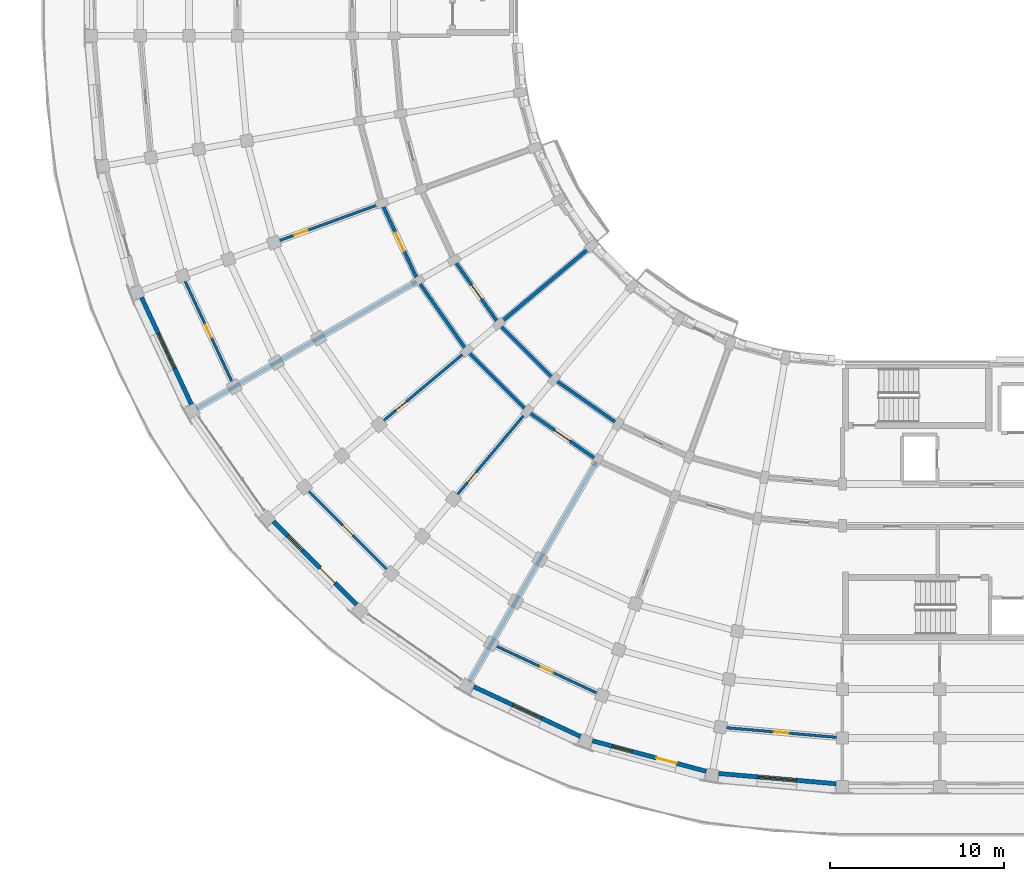
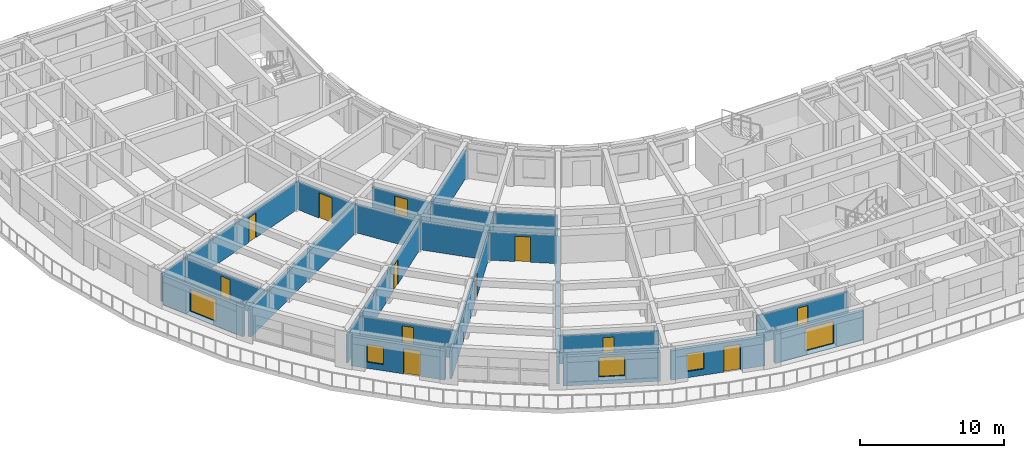
# One storey, part 17 of 57: 22 walls, 12 doors, 5 windows, 17 openings.
"""IFC4 building model written with IfcOpenShell, lengths in metres."""

from ifc_helpers import new_model, si_unit, direction, frame, frame_2d, origin, place, context, subcontext, project, spatial, rectangle, extrude, material, layer, layer_set, type_object, element, fill, save


model = new_model("IFC4")

# Units and contexts
model_context = context("Model", 3, precision=1e-05, world=origin(), true_north=direction((0.0, 1.0)))
body_context = subcontext(model_context, "Body", "Model", "MODEL_VIEW")
ifc_project = project(units=[si_unit("LENGTHUNIT", "METRE"), si_unit("AREAUNIT", "SQUARE_METRE"), si_unit("VOLUMEUNIT", "CUBIC_METRE"), si_unit("PLANEANGLEUNIT", "RADIAN"), si_unit("MASSUNIT", "GRAM", prefix="KILO")], contexts=[model_context])

# Site, building, storey
site_placement = place(None, origin())
site = spatial("IfcSite", under=ifc_project, at=site_placement, CompositionType="ELEMENT")
building_placement = place(site_placement, origin())
building = spatial("IfcBuilding", under=site, at=building_placement, Name="Kiranvali Square Residences", CompositionType="ELEMENT")
storey_placement = place(building_placement, frame((0.0, 0.0, 21.300048828125)))
storey = spatial("IfcBuildingStorey", under=building, at=storey_placement, Name="L06", CompositionType="ELEMENT", Elevation=21.300048828125)

# Wall
ifc_material_1 = material(Name="Autoclaved aerated concrete blockwork masonry", Category="masonry")
ifc_layer_1 = layer(ifc_material_1, 0.199951171875)
ifc_layer_set_1 = layer_set([ifc_layer_1], Name="Autoclaved aerated concrete blockwork masonry")
wall_type_1 = type_object("IfcWallType", Name="WL-COR-200", PredefinedType="STANDARD", material=ifc_layer_set_1)
wall_1_placement = place(storey_placement, frame((35.300048828125, 25.8564453125, 0.0), z_axis=(0.0, 0.0, 1.0), x_axis=(-0.819155404658, 0.573571637217, 0.0)))
element("IfcWall", 1, at=wall_1_placement, inside=storey, type_object=wall_type_1, Name="L06 architectural wall WL-L06-C-CCI-3", PredefinedType="STANDARD", context=body_context, shape_type="SweptSolid", body=[
    extrude(rectangle(XDim=4.497314453125, YDim=0.199951171875, at=frame_2d((2.24853515625, 0.0))), origin(), (0.0, 0.0, 1.0), 2.3720703125),
])

# Wall, opening, door
wall_2_placement = place(storey_placement, frame((34.10009765625, 23.778076171875, 0.0), z_axis=(0.0, 0.0, 1.0), x_axis=(-0.819140911474, 0.573592335331, 0.0)))
wall_2 = element("IfcWall", 2, at=wall_2_placement, inside=storey, type_object=wall_type_1, Name="L06 architectural wall WL-L06-C-CCO-3", PredefinedType="STANDARD", context=body_context, shape_type="SweptSolid", body=[
    extrude(rectangle(XDim=4.915771484375, YDim=0.199951171875, at=frame_2d((2.4580078125, 0.0))), origin(), (0.0, 0.0, 1.0), 2.3720703125),
])
opening_1_placement = place(wall_2_placement, frame((1.917724609375, 0.0, 0.0)))
opening_1 = element("IfcOpeningElement", 3, at=opening_1_placement, cuts=wall_2, Name="Opening FD-APT-60C", PredefinedType="OPENING", context=body_context, shape_type="SweptSolid", body=[
    extrude(rectangle(XDim=1.080078125, YDim=2.14990234375, at=frame_2d((0.5400390625, 1.074951171875))), frame((0.0, 0.10986328125, 0.0), z_axis=(0.0, -1.0, 0.0), x_axis=(1.0, 0.0, 0.0)), (0.0, 0.0, 1.0), 0.219970703125),
])
ifc_material_2 = material(Name="Fire-rated acoustic hardwood and mineral-core door assembly", Category="wood")
door_type_1 = type_object("IfcDoorType", Name="DR-APT-1080", OperationType="NOTDEFINED", PredefinedType="DOOR", material=ifc_material_2)
door_1_placement = place(opening_1_placement, frame((1.080078125, 0.0, 0.0), z_axis=(0.0, 0.0, 1.0), x_axis=(-1.0, 0.0, 0.0)))
door_1 = element("IfcDoor", 4, at=door_1_placement, inside=storey, type_object=door_type_1, Name="L06 door DR-L06-2120 (DR-APT-1080)", OperationType="SINGLE_SWING_RIGHT", OverallHeight=2.14990234375, OverallWidth=1.080078125, PredefinedType="DOOR", context=body_context, shape_type="SweptSolid", body=[
    extrude(rectangle(XDim=1.080078125, YDim=2.14990234375, at=frame_2d((0.5400390625, 1.074951171875))), frame((0.0, 0.02490234375, 0.0), z_axis=(0.0, -1.0, 0.0), x_axis=(1.0, 0.0, 0.0)), (0.0, 0.0, 1.0), 0.050048828125),
])
fill(opening_1, door_1)

# Walls
wall_3_placement = place(storey_placement, frame((31.615966796875, 28.43603515625, 0.0), z_axis=(0.0, 0.0, 1.0), x_axis=(-0.707106781187, 0.707106781187, 0.0)))
element("IfcWall", 5, at=wall_3_placement, inside=storey, type_object=wall_type_1, Name="L06 architectural wall WL-L06-C-CCI-4", PredefinedType="STANDARD", context=body_context, shape_type="SweptSolid", body=[
    extrude(rectangle(XDim=4.4970703125, YDim=0.199951171875, at=frame_2d((2.24853515625, 0.0))), origin(), (0.0, 0.0, 1.0), 2.3720703125),
])
wall_4_placement = place(storey_placement, frame((30.073486328125, 26.59765625, 0.0), z_axis=(0.0, 0.0, 1.0), x_axis=(-0.707106781187, 0.707106781187, 0.0)))
element("IfcWall", 6, at=wall_4_placement, inside=storey, type_object=wall_type_1, Name="L06 architectural wall WL-L06-C-CCO-4", PredefinedType="STANDARD", context=body_context, shape_type="SweptSolid", body=[
    extrude(rectangle(XDim=4.91552734375, YDim=0.199951171875, at=frame_2d((2.457763671875, 0.0))), origin(), (0.0, 0.0, 1.0), 2.3720703125),
])

# Wall, opening, door
wall_5_placement = place(storey_placement, frame((28.43603515625, 31.615966796875, 0.0), z_axis=(0.0, 0.0, 1.0), x_axis=(-0.573571637217, 0.819155404658, 0.0)))
wall_5 = element("IfcWall", 7, at=wall_5_placement, inside=storey, type_object=wall_type_1, Name="L06 architectural wall WL-L06-C-CCI-5", PredefinedType="STANDARD", context=body_context, shape_type="SweptSolid", body=[
    extrude(rectangle(XDim=4.497314453125, YDim=0.199951171875, at=frame_2d((2.24853515625, 0.0))), origin(), (0.0, 0.0, 1.0), 2.3720703125),
])
opening_2_placement = place(wall_5_placement, frame((1.74853515625, 0.0, 0.0)))
opening_2 = element("IfcOpeningElement", 8, at=opening_2_placement, cuts=wall_5, Name="Opening FD-APT-60", PredefinedType="OPENING", context=body_context, shape_type="SweptSolid", body=[
    extrude(rectangle(XDim=1.0, YDim=2.14990234375, at=frame_2d((0.5, 1.074951171875))), frame((0.0, 0.10986328125, 0.0), z_axis=(0.0, -1.0, 0.0), x_axis=(1.0, 0.0, 0.0)), (0.0, 0.0, 1.0), 0.219970703125),
])
door_type_2 = type_object("IfcDoorType", Name="DR-APT-1000", OperationType="NOTDEFINED", PredefinedType="DOOR", material=ifc_material_2)
door_2_placement = place(opening_2_placement, frame((1.0, 0.0, 0.0), z_axis=(0.0, 0.0, 1.0), x_axis=(-1.0, 0.0, 0.0)))
door_2 = element("IfcDoor", 9, at=door_2_placement, inside=storey, type_object=door_type_2, Name="L06 door DR-L06-2128 (DR-APT-1000)", OperationType="SINGLE_SWING_RIGHT", OverallHeight=2.14990234375, OverallWidth=1.0, PredefinedType="DOOR", context=body_context, shape_type="SweptSolid", body=[
    extrude(rectangle(XDim=1.0, YDim=2.14990234375, at=frame_2d((0.5, 1.074951171875))), frame((0.0, 0.02490234375, 0.0), z_axis=(0.0, -1.0, 0.0), x_axis=(1.0, 0.0, 0.0)), (0.0, 0.0, 1.0), 0.050048828125),
])
fill(opening_2, door_2)

# Wall
wall_6_placement = place(storey_placement, frame((26.59765625, 30.073486328125, 0.0), z_axis=(0.0, 0.0, 1.0), x_axis=(-0.573592335331, 0.819140911474, 0.0)))
element("IfcWall", 10, at=wall_6_placement, inside=storey, type_object=wall_type_1, Name="L06 architectural wall WL-L06-C-CCO-5", PredefinedType="STANDARD", context=body_context, shape_type="SweptSolid", body=[
    extrude(rectangle(XDim=4.915771484375, YDim=0.199951171875, at=frame_2d((2.4580078125, 0.0))), origin(), (0.0, 0.0, 1.0), 2.3720703125),
])

# Wall, opening, door
wall_7_placement = place(storey_placement, frame((23.778076171875, 34.10009765625, 0.0), z_axis=(0.0, 0.0, 1.0), x_axis=(-0.422629854778, 0.906302381024, 0.0)))
wall_7 = element("IfcWall", 11, at=wall_7_placement, inside=storey, type_object=wall_type_1, Name="L06 architectural wall WL-L06-C-CCO-6", PredefinedType="STANDARD", context=body_context, shape_type="SweptSolid", body=[
    extrude(rectangle(XDim=4.915283203125, YDim=0.199951171875, at=frame_2d((2.45751953125, 0.0))), origin(), (0.0, 0.0, 1.0), 2.3720703125),
])
opening_3_placement = place(wall_7_placement, frame((1.8876953125, 0.0, 0.0)))
opening_3 = element("IfcOpeningElement", 12, at=opening_3_placement, cuts=wall_7, Name="Opening FD-APT-60D", PredefinedType="OPENING", context=body_context, shape_type="SweptSolid", body=[
    extrude(rectangle(XDim=1.139892578125, YDim=2.14990234375, at=frame_2d((0.56982421875, 1.074951171875))), frame((0.0, 0.10986328125, 0.0), z_axis=(0.0, -1.0, 0.0), x_axis=(1.0, 0.0, 0.0)), (0.0, 0.0, 1.0), 0.219970703125),
])
door_type_3 = type_object("IfcDoorType", Name="DR-APT-1140", OperationType="NOTDEFINED", PredefinedType="DOOR", material=ifc_material_2)
door_3_placement = place(opening_3_placement, frame((1.139892578125, 0.0, 0.0), z_axis=(0.0, 0.0, 1.0), x_axis=(-1.0, 0.0, 0.0)))
door_3 = element("IfcDoor", 13, at=door_3_placement, inside=storey, type_object=door_type_3, Name="L06 door DR-L06-2122 (DR-APT-1140)", OperationType="SINGLE_SWING_RIGHT", OverallHeight=2.14990234375, OverallWidth=1.139892578125, PredefinedType="DOOR", context=body_context, shape_type="SweptSolid", body=[
    extrude(rectangle(XDim=1.139892578125, YDim=2.14990234375, at=frame_2d((0.56982421875, 1.074951171875))), frame((0.0, 0.02490234375, 0.0), z_axis=(0.0, -1.0, 0.0), x_axis=(1.0, 0.0, 0.0)), (0.0, 0.0, 1.0), 0.050048828125),
])
fill(opening_3, door_3)

# Walls
ifc_layer_2 = layer(ifc_material_1, 0.219970703125)
ifc_layer_set_2 = layer_set([ifc_layer_2], Name="Autoclaved aerated concrete blockwork masonry")
wall_type_2 = type_object("IfcWallType", Name="WL-DEM-220", PredefinedType="STANDARD", material=ifc_layer_set_2)
wall_8_placement = place(storey_placement, frame((34.050048828125, 23.69140625, 0.0), z_axis=(0.0, 0.0, 1.0), x_axis=(-0.500007702989, -0.866020956416, 0.0)))
element("IfcWall", 14, at=wall_8_placement, inside=storey, type_object=wall_type_2, Name="L06 architectural wall WL-L06-C-RADO-3", PredefinedType="STANDARD", context=body_context, shape_type="SweptSolid", body=[
    extrude(rectangle(XDim=14.619873046875, YDim=0.219970703125, at=frame_2d((7.31005859375, 0.0))), origin(), (0.0, 0.0, 1.0), 2.3720703125),
])
wall_9_placement = place(storey_placement, frame((33.645263671875, 35.987060546875, 0.0), z_axis=(0.0, 0.0, 1.0), x_axis=(-0.766046761698, -0.642784846501, 0.0)))
element("IfcWall", 15, at=wall_9_placement, inside=storey, type_object=wall_type_2, Name="L06 architectural wall WL-L06-C-RADI-5", PredefinedType="STANDARD", context=body_context, shape_type="SweptSolid", body=[
    extrude(rectangle(XDim=6.75, YDim=0.219970703125, at=frame_2d((3.375, 0.0))), origin(), (0.0, 0.0, 1.0), 2.3720703125),
])
wall_10_placement = place(storey_placement, frame((23.69140625, 34.050048828125, 0.0), z_axis=(0.0, 0.0, 1.0), x_axis=(-0.866020956416, -0.500007702989, 0.0)))
element("IfcWall", 16, at=wall_10_placement, inside=storey, type_object=wall_type_2, Name="L06 architectural wall WL-L06-C-RADO-6", PredefinedType="STANDARD", context=body_context, shape_type="SweptSolid", body=[
    extrude(rectangle(XDim=14.619873046875, YDim=0.219970703125, at=frame_2d((7.31005859375, 0.0))), origin(), (0.0, 0.0, 1.0), 2.3720703125),
])

# Wall, opening, window
ifc_material_3 = material(Name="Breathable lime-rendered clay brick masonry", Category="masonry")
ifc_layer_3 = layer(ifc_material_3, 0.25)
ifc_layer_set_3 = layer_set([ifc_layer_3], Name="Breathable lime-rendered clay brick masonry")
wall_type_3 = type_object("IfcWallType", Name="WL-EXT-250", PredefinedType="STANDARD", material=ifc_layer_set_3)
wall_11_placement = place(storey_placement, frame((47.83642578125, 5.1572265625, 0.0), z_axis=(0.0, 0.0, 1.0), x_axis=(-0.996194225705, 0.087161141987, 0.0)))
wall_11 = element("IfcWall", 17, at=wall_11_placement, inside=storey, type_object=wall_type_3, Name="L06 exterior wall C-L06-CRV-00", PredefinedType="STANDARD", context=body_context, shape_type="SweptSolid", body=[
    extrude(rectangle(XDim=6.778564453125, YDim=0.25, at=frame_2d((3.38916015625, 0.0))), origin(), (0.0, 0.0, 1.0), 2.47998046875),
])
opening_4_placement = place(wall_11_placement, frame((2.289306640625, 0.0, 0.3798828125)))
opening_4 = element("IfcOpeningElement", 18, at=opening_4_placement, cuts=wall_11, Name="Opening W-20", PredefinedType="OPENING", context=body_context, shape_type="SweptSolid", body=[
    extrude(rectangle(XDim=2.199951171875, YDim=1.89990234375, at=frame_2d((1.10009765625, 0.949951171875))), frame((0.0, 0.135009765625, 0.0), z_axis=(0.0, -1.0, 0.0), x_axis=(1.0, 0.0, 0.0)), (0.0, 0.0, 1.0), 0.27001953125),
])
ifc_material_4 = material(Name="Solar-control low-e double glazing", Category="glass")
window_type_1 = type_object("IfcWindowType", Name="WIN-TER-2200x1900", PartitioningType="TRIPLE_PANEL_VERTICAL", PredefinedType="WINDOW", material=ifc_material_4)
window_1_placement = place(opening_4_placement, origin())
window_1 = element("IfcWindow", 19, at=window_1_placement, inside=storey, type_object=window_type_1, Name="L06 recessed window C-L06-CRV-00", OverallHeight=1.89990234375, OverallWidth=2.199951171875, PartitioningType="TRIPLE_PANEL_VERTICAL", PredefinedType="WINDOW", context=body_context, shape_type="SweptSolid", body=[
    extrude(rectangle(XDim=2.199951171875, YDim=1.89990234375, at=frame_2d((1.10009765625, 0.949951171875))), frame((0.0, 0.030029296875, 0.0), z_axis=(0.0, -1.0, 0.0), x_axis=(1.0, 0.0, 0.0)), (0.0, 0.0, 1.0), 0.06005859375),
])
fill(opening_4, window_1)

# Wall, openings, door, window
wall_12_placement = place(storey_placement, frame((40.36767578125, 5.874267578125, 0.0), z_axis=(0.0, 0.0, 1.0), x_axis=(-0.96592699134, 0.258814697035, 0.0)))
wall_12 = element("IfcWall", 20, at=wall_12_placement, inside=storey, type_object=wall_type_3, Name="L06 exterior wall C-L06-CRV-01", PredefinedType="STANDARD", context=body_context, shape_type="SweptSolid", body=[
    extrude(rectangle(XDim=6.778564453125, YDim=0.25, at=frame_2d((3.38916015625, 0.0))), origin(), (0.0, 0.0, 1.0), 2.47998046875),
])
opening_5_placement = place(wall_12_placement, frame((4.404541015625, 0.0, 0.530029296875)))
opening_5 = element("IfcOpeningElement", 21, at=opening_5_placement, cuts=wall_12, Name="Opening W-06", PredefinedType="OPENING", context=body_context, shape_type="SweptSolid", body=[
    extrude(rectangle(XDim=1.199951171875, YDim=1.5, at=frame_2d((0.60009765625, 0.75))), frame((0.0, 0.135009765625, 0.0), z_axis=(0.0, -1.0, 0.0), x_axis=(1.0, 0.0, 0.0)), (0.0, 0.0, 1.0), 0.27001953125),
])
opening_6_placement = place(wall_12_placement, frame((1.7724609375, 0.0, 0.0)))
opening_6 = element("IfcOpeningElement", 22, at=opening_6_placement, cuts=wall_12, Name="Opening ED-BAL-1", PredefinedType="OPENING", context=body_context, shape_type="SweptSolid", body=[
    extrude(rectangle(XDim=1.199951171875, YDim=2.14990234375, at=frame_2d((0.60009765625, 1.074951171875))), frame((0.0, 0.135009765625, 0.0), z_axis=(0.0, -1.0, 0.0), x_axis=(1.0, 0.0, 0.0)), (0.0, 0.0, 1.0), 0.27001953125),
])
ifc_material_5 = material(Name="Anodised bronze aluminium framing", Category="aluminium")
door_type_4 = type_object("IfcDoorType", Name="DR-BAL-1200", OperationType="NOTDEFINED", PredefinedType="DOOR", material=ifc_material_5)
door_4_placement = place(opening_6_placement, origin())
door_4 = element("IfcDoor", 23, at=door_4_placement, inside=storey, type_object=door_type_4, Name="L06 balcony terrace door", OperationType="SINGLE_SWING_RIGHT", OverallHeight=2.14990234375, OverallWidth=1.199951171875, PredefinedType="DOOR", context=body_context, shape_type="SweptSolid", body=[
    extrude(rectangle(XDim=1.199951171875, YDim=2.14990234375, at=frame_2d((0.60009765625, 1.074951171875))), frame((0.0, 0.02490234375, 0.0), z_axis=(0.0, -1.0, 0.0), x_axis=(1.0, 0.0, 0.0)), (0.0, 0.0, 1.0), 0.050048828125),
])
fill(opening_6, door_4)
window_type_2 = type_object("IfcWindowType", Name="WIN-RES-1200x1500", PartitioningType="SINGLE_PANEL", PredefinedType="WINDOW", material=ifc_material_4)
window_2_placement = place(opening_5_placement, origin())
window_2 = element("IfcWindow", 24, at=window_2_placement, inside=storey, type_object=window_type_2, Name="L06 recessed window C-L06-CRV-01", OverallHeight=1.5, OverallWidth=1.199951171875, PartitioningType="SINGLE_PANEL", PredefinedType="WINDOW", context=body_context, shape_type="SweptSolid", body=[
    extrude(rectangle(XDim=1.199951171875, YDim=1.5, at=frame_2d((0.60009765625, 0.75))), frame((0.0, 0.030029296875, 0.0), z_axis=(0.0, -1.0, 0.0), x_axis=(1.0, 0.0, 0.0)), (0.0, 0.0, 1.0), 0.06005859375),
])
fill(opening_5, window_2)

# Wall, opening, window
wall_13_placement = place(storey_placement, frame((33.136962890625, 7.87744140625, 0.0), z_axis=(0.0, 0.0, 1.0), x_axis=(-0.906310075746, 0.422613353553, 0.0)))
wall_13 = element("IfcWall", 25, at=wall_13_placement, inside=storey, type_object=wall_type_3, Name="L06 exterior wall C-L06-CRV-02", PredefinedType="STANDARD", context=body_context, shape_type="SweptSolid", body=[
    extrude(rectangle(XDim=6.778564453125, YDim=0.25, at=frame_2d((3.38916015625, 0.0))), origin(), (0.0, 0.0, 1.0), 2.47998046875),
])
opening_7_placement = place(wall_13_placement, frame((2.4892578125, 0.0, 0.6298828125)))
opening_7 = element("IfcOpeningElement", 26, at=opening_7_placement, cuts=wall_13, Name="Opening W-04", PredefinedType="OPENING", context=body_context, shape_type="SweptSolid", body=[
    extrude(rectangle(XDim=1.800048828125, YDim=1.64990234375, at=frame_2d((0.89990234375, 0.824951171875))), frame((0.0, 0.135009765625, 0.0), z_axis=(0.0, -1.0, 0.0), x_axis=(1.0, 0.0, 0.0)), (0.0, 0.0, 1.0), 0.27001953125),
])
window_type_3 = type_object("IfcWindowType", Name="WIN-RES-1800x1650", PartitioningType="DOUBLE_PANEL_VERTICAL", PredefinedType="WINDOW", material=ifc_material_4)
window_3_placement = place(opening_7_placement, origin())
window_3 = element("IfcWindow", 27, at=window_3_placement, inside=storey, type_object=window_type_3, Name="L06 recessed window C-L06-CRV-02", OverallHeight=1.64990234375, OverallWidth=1.800048828125, PartitioningType="DOUBLE_PANEL_VERTICAL", PredefinedType="WINDOW", context=body_context, shape_type="SweptSolid", body=[
    extrude(rectangle(XDim=1.800048828125, YDim=1.64990234375, at=frame_2d((0.89990234375, 0.824951171875))), frame((0.0, 0.030029296875, 0.0), z_axis=(0.0, -1.0, 0.0), x_axis=(1.0, 0.0, 0.0)), (0.0, 0.0, 1.0), 0.06005859375),
])
fill(opening_7, window_3)

# Wall, openings, door, window
wall_14_placement = place(storey_placement, frame((20.254150390625, 15.4609375, 0.0), z_axis=(0.0, 0.0, 1.0), x_axis=(-0.707106781187, 0.707106781187, 0.0)))
wall_14 = element("IfcWall", 28, at=wall_14_placement, inside=storey, type_object=wall_type_3, Name="L06 exterior wall C-L06-CRV-04", PredefinedType="STANDARD", context=body_context, shape_type="SweptSolid", body=[
    extrude(rectangle(XDim=6.778564453125, YDim=0.25, at=frame_2d((3.38916015625, 0.0))), origin(), (0.0, 0.0, 1.0), 2.47998046875),
])
opening_8_placement = place(wall_14_placement, frame((4.404541015625, 0.0, 0.530029296875)))
opening_8 = element("IfcOpeningElement", 29, at=opening_8_placement, cuts=wall_14, Name="Opening W-06", PredefinedType="OPENING", context=body_context, shape_type="SweptSolid", body=[
    extrude(rectangle(XDim=1.199951171875, YDim=1.5, at=frame_2d((0.60009765625, 0.75))), frame((0.0, 0.135009765625, 0.0), z_axis=(0.0, -1.0, 0.0), x_axis=(1.0, 0.0, 0.0)), (0.0, 0.0, 1.0), 0.27001953125),
])
opening_9_placement = place(wall_14_placement, frame((1.7724609375, 0.0, 0.0)))
opening_9 = element("IfcOpeningElement", 30, at=opening_9_placement, cuts=wall_14, Name="Opening ED-BAL-1", PredefinedType="OPENING", context=body_context, shape_type="SweptSolid", body=[
    extrude(rectangle(XDim=1.199951171875, YDim=2.14990234375, at=frame_2d((0.60009765625, 1.074951171875))), frame((0.0, 0.135009765625, 0.0), z_axis=(0.0, -1.0, 0.0), x_axis=(1.0, 0.0, 0.0)), (0.0, 0.0, 1.0), 0.27001953125),
])
door_5_placement = place(opening_9_placement, origin())
door_5 = element("IfcDoor", 31, at=door_5_placement, inside=storey, type_object=door_type_4, Name="L06 balcony terrace door", OperationType="SINGLE_SWING_LEFT", OverallHeight=2.14990234375, OverallWidth=1.199951171875, PredefinedType="DOOR", context=body_context, shape_type="SweptSolid", body=[
    extrude(rectangle(XDim=1.199951171875, YDim=2.14990234375, at=frame_2d((0.60009765625, 1.074951171875))), frame((0.0, 0.02490234375, 0.0), z_axis=(0.0, -1.0, 0.0), x_axis=(1.0, 0.0, 0.0)), (0.0, 0.0, 1.0), 0.050048828125),
])
fill(opening_9, door_5)
window_4_placement = place(opening_8_placement, origin())
window_4 = element("IfcWindow", 32, at=window_4_placement, inside=storey, type_object=window_type_2, Name="L06 recessed window C-L06-CRV-04", OverallHeight=1.5, OverallWidth=1.199951171875, PartitioningType="SINGLE_PANEL", PredefinedType="WINDOW", context=body_context, shape_type="SweptSolid", body=[
    extrude(rectangle(XDim=1.199951171875, YDim=1.5, at=frame_2d((0.60009765625, 0.75))), frame((0.0, 0.030029296875, 0.0), z_axis=(0.0, -1.0, 0.0), x_axis=(1.0, 0.0, 0.0)), (0.0, 0.0, 1.0), 0.06005859375),
])
fill(opening_8, window_4)

# Wall, opening, window
wall_15_placement = place(storey_placement, frame((10.7421875, 26.993408203125, 0.0), z_axis=(0.0, 0.0, 1.0), x_axis=(-0.422613353553, 0.906310075746, 0.0)))
wall_15 = element("IfcWall", 33, at=wall_15_placement, inside=storey, type_object=wall_type_3, Name="L06 exterior wall C-L06-CRV-06", PredefinedType="STANDARD", context=body_context, shape_type="SweptSolid", body=[
    extrude(rectangle(XDim=6.778564453125, YDim=0.25, at=frame_2d((3.38916015625, 0.0))), origin(), (0.0, 0.0, 1.0), 2.47998046875),
])
opening_10_placement = place(wall_15_placement, frame((2.289306640625, 0.0, 0.3798828125)))
opening_10 = element("IfcOpeningElement", 34, at=opening_10_placement, cuts=wall_15, Name="Opening W-20", PredefinedType="OPENING", context=body_context, shape_type="SweptSolid", body=[
    extrude(rectangle(XDim=2.199951171875, YDim=1.89990234375, at=frame_2d((1.10009765625, 0.949951171875))), frame((0.0, 0.135009765625, 0.0), z_axis=(0.0, -1.0, 0.0), x_axis=(1.0, 0.0, 0.0)), (0.0, 0.0, 1.0), 0.27001953125),
])
window_5_placement = place(opening_10_placement, origin())
window_5 = element("IfcWindow", 35, at=window_5_placement, inside=storey, type_object=window_type_1, Name="L06 recessed window C-L06-CRV-06", OverallHeight=1.89990234375, OverallWidth=2.199951171875, PartitioningType="TRIPLE_PANEL_VERTICAL", PredefinedType="WINDOW", context=body_context, shape_type="SweptSolid", body=[
    extrude(rectangle(XDim=2.199951171875, YDim=1.89990234375, at=frame_2d((1.10009765625, 0.949951171875))), frame((0.0, 0.030029296875, 0.0), z_axis=(0.0, -1.0, 0.0), x_axis=(1.0, 0.0, 0.0)), (0.0, 0.0, 1.0), 0.06005859375),
])
fill(opening_10, window_5)

# Wall, opening, door
ifc_material_6 = material(Name="Acoustic gypsum board drylined partition", Category="gypsum")
ifc_layer_4 = layer(ifc_material_6, 0.14990234375)
ifc_layer_set_4 = layer_set([ifc_layer_4], Name="Acoustic gypsum board drylined partition")
wall_type_4 = type_object("IfcWallType", Name="WL-PRT-150", PredefinedType="PARTITIONING", material=ifc_layer_set_4)
wall_16_placement = place(storey_placement, frame((30.009033203125, 26.52099609375, 0.0), z_axis=(0.0, 0.0, 1.0), x_axis=(-0.642779216656, -0.76605148563, 0.0)))
wall_16 = element("IfcWall", 36, at=wall_16_placement, inside=storey, type_object=wall_type_4, Name="L06 architectural wall WL-L06-C-RADO-4", PredefinedType="PARTITIONING", context=body_context, shape_type="SweptSolid", body=[
    extrude(rectangle(XDim=14.6201171875, YDim=0.14990234375, at=frame_2d((7.31005859375, 0.0))), origin(), (0.0, 0.0, 1.0), 2.3720703125),
])
opening_11_placement = place(wall_16_placement, frame((4.449462890625, 0.0, 0.0)))
opening_11 = element("IfcOpeningElement", 37, at=opening_11_placement, cuts=wall_16, Name="Opening ID-WET", PredefinedType="OPENING", context=body_context, shape_type="SweptSolid", body=[
    extrude(rectangle(XDim=0.800048828125, YDim=2.10009765625, at=frame_2d((0.39990234375, 1.050048828125))), frame((0.0, 0.0849609375, 0.0), z_axis=(0.0, -1.0, 0.0), x_axis=(1.0, 0.0, 0.0)), (0.0, 0.0, 1.0), 0.169921875),
])
ifc_material_7 = material(Name="Solid seasoned teak hardwood joinery", Category="wood")
door_type_5 = type_object("IfcDoorType", Name="DR-WET-800", OperationType="NOTDEFINED", PredefinedType="DOOR", material=ifc_material_7)
door_6_placement = place(opening_11_placement, origin())
door_6 = element("IfcDoor", 38, at=door_6_placement, inside=storey, type_object=door_type_5, Name="L06 door DR-L06-2113 (DR-WET-800)", OperationType="SINGLE_SWING_LEFT", OverallHeight=2.10009765625, OverallWidth=0.800048828125, PredefinedType="DOOR", context=body_context, shape_type="SweptSolid", body=[
    extrude(rectangle(XDim=0.800048828125, YDim=2.10009765625, at=frame_2d((0.39990234375, 1.050048828125))), frame((0.0, 0.02490234375, 0.0), z_axis=(0.0, -1.0, 0.0), x_axis=(1.0, 0.0, 0.0)), (0.0, 0.0, 1.0), 0.050048828125),
])
fill(opening_11, door_6)

wall_17_placement = place(storey_placement, frame((26.52099609375, 30.009033203125, 0.0), z_axis=(0.0, 0.0, 1.0), x_axis=(-0.76605148563, -0.642779216656, 0.0)))
wall_17 = element("IfcWall", 39, at=wall_17_placement, inside=storey, type_object=wall_type_4, Name="L06 architectural wall WL-L06-C-RADO-5", PredefinedType="PARTITIONING", context=body_context, shape_type="SweptSolid", body=[
    extrude(rectangle(XDim=14.6201171875, YDim=0.14990234375, at=frame_2d((7.31005859375, 0.0))), origin(), (0.0, 0.0, 1.0), 2.3720703125),
])
opening_12_placement = place(wall_17_placement, frame((4.449462890625, 0.0, 0.0)))
opening_12 = element("IfcOpeningElement", 40, at=opening_12_placement, cuts=wall_17, Name="Opening ID-WET", PredefinedType="OPENING", context=body_context, shape_type="SweptSolid", body=[
    extrude(rectangle(XDim=0.800048828125, YDim=2.10009765625, at=frame_2d((0.39990234375, 1.050048828125))), frame((0.0, 0.0849609375, 0.0), z_axis=(0.0, -1.0, 0.0), x_axis=(1.0, 0.0, 0.0)), (0.0, 0.0, 1.0), 0.169921875),
])
door_7_placement = place(opening_12_placement, frame((0.800048828125, 0.0, 0.0), z_axis=(0.0, 0.0, 1.0), x_axis=(-1.0, 0.0, 0.0)))
door_7 = element("IfcDoor", 41, at=door_7_placement, inside=storey, type_object=door_type_5, Name="L06 door DR-L06-2114 (DR-WET-800)", OperationType="SINGLE_SWING_RIGHT", OverallHeight=2.10009765625, OverallWidth=0.800048828125, PredefinedType="DOOR", context=body_context, shape_type="SweptSolid", body=[
    extrude(rectangle(XDim=0.800048828125, YDim=2.10009765625, at=frame_2d((0.39990234375, 1.050048828125))), frame((0.0, 0.02490234375, 0.0), z_axis=(0.0, -1.0, 0.0), x_axis=(1.0, 0.0, 0.0)), (0.0, 0.0, 1.0), 0.050048828125),
])
fill(opening_12, door_7)

wall_18_placement = place(storey_placement, frame((21.606689453125, 38.520751953125, 0.0), z_axis=(0.0, 0.0, 1.0), x_axis=(-0.939694408106, -0.342015232663, 0.0)))
wall_18 = element("IfcWall", 42, at=wall_18_placement, inside=storey, type_object=wall_type_4, Name="L06 architectural wall WL-L06-C-RADO-7", PredefinedType="PARTITIONING", context=body_context, shape_type="SweptSolid", body=[
    extrude(rectangle(XDim=14.619873046875, YDim=0.14990234375, at=frame_2d((7.31005859375, 0.0))), origin(), (0.0, 0.0, 1.0), 2.3720703125),
])
opening_13_placement = place(wall_18_placement, frame((4.449462890625, 0.0, 0.0)))
opening_13 = element("IfcOpeningElement", 43, at=opening_13_placement, cuts=wall_18, Name="Opening ID-WET", PredefinedType="OPENING", context=body_context, shape_type="SweptSolid", body=[
    extrude(rectangle(XDim=0.800048828125, YDim=2.10009765625, at=frame_2d((0.39990234375, 1.050048828125))), frame((0.0, 0.0849609375, 0.0), z_axis=(0.0, -1.0, 0.0), x_axis=(1.0, 0.0, 0.0)), (0.0, 0.0, 1.0), 0.169921875),
])
door_8_placement = place(opening_13_placement, origin())
door_8 = element("IfcDoor", 44, at=door_8_placement, inside=storey, type_object=door_type_5, Name="L06 door DR-L06-2115 (DR-WET-800)", OperationType="SINGLE_SWING_LEFT", OverallHeight=2.10009765625, OverallWidth=0.800048828125, PredefinedType="DOOR", context=body_context, shape_type="SweptSolid", body=[
    extrude(rectangle(XDim=0.800048828125, YDim=2.10009765625, at=frame_2d((0.39990234375, 1.050048828125))), frame((0.0, 0.02490234375, 0.0), z_axis=(0.0, -1.0, 0.0), x_axis=(1.0, 0.0, 0.0)), (0.0, 0.0, 1.0), 0.050048828125),
])
fill(opening_13, door_8)

ifc_layer_5 = layer(ifc_material_1, 0.14990234375)
ifc_layer_set_5 = layer_set([ifc_layer_5], Name="Autoclaved aerated concrete blockwork masonry")
wall_type_5 = type_object("IfcWallType", Name="WL-WET-150", PredefinedType="PLUMBINGWALL", material=ifc_layer_set_5)
wall_19_placement = place(storey_placement, frame((48.199951171875, 7.800048828125, 0.0), z_axis=(0.0, 0.0, 1.0), x_axis=(-0.996194658198, 0.087156198737, 0.0)))
wall_19 = element("IfcWall", 45, at=wall_19_placement, inside=storey, type_object=wall_type_5, Name="L06 architectural wall WL-L06-C-CWET-0", PredefinedType="PLUMBINGWALL", context=body_context, shape_type="SweptSolid", body=[
    extrude(rectangle(XDim=7.042236328125, YDim=0.14990234375, at=frame_2d((3.52099609375, 0.0))), origin(), (0.0, 0.0, 1.0), 2.3720703125),
])
opening_14_placement = place(wall_19_placement, frame((3.12109375, 0.0, 0.0)))
opening_14 = element("IfcOpeningElement", 46, at=opening_14_placement, cuts=wall_19, Name="Opening ID-WET", PredefinedType="OPENING", context=body_context, shape_type="SweptSolid", body=[
    extrude(rectangle(XDim=0.800048828125, YDim=2.10009765625, at=frame_2d((0.39990234375, 1.050048828125))), frame((0.0, 0.0849609375, 0.0), z_axis=(0.0, -1.0, 0.0), x_axis=(1.0, 0.0, 0.0)), (0.0, 0.0, 1.0), 0.169921875),
])
door_9_placement = place(opening_14_placement, origin())
door_9 = element("IfcDoor", 47, at=door_9_placement, inside=storey, type_object=door_type_5, Name="L06 door DR-L06-2117 (DR-WET-800)", OperationType="SINGLE_SWING_LEFT", OverallHeight=2.10009765625, OverallWidth=0.800048828125, PredefinedType="DOOR", context=body_context, shape_type="SweptSolid", body=[
    extrude(rectangle(XDim=0.800048828125, YDim=2.10009765625, at=frame_2d((0.39990234375, 1.050048828125))), frame((0.0, 0.02490234375, 0.0), z_axis=(0.0, -1.0, 0.0), x_axis=(1.0, 0.0, 0.0)), (0.0, 0.0, 1.0), 0.050048828125),
])
fill(opening_14, door_9)

wall_20_placement = place(storey_placement, frame((34.38232421875, 10.236328125, 0.0), z_axis=(0.0, 0.0, 1.0), x_axis=(-0.906297360311, 0.422640621205, 0.0)))
wall_20 = element("IfcWall", 48, at=wall_20_placement, inside=storey, type_object=wall_type_5, Name="L06 architectural wall WL-L06-C-CWET-2", PredefinedType="PLUMBINGWALL", context=body_context, shape_type="SweptSolid", body=[
    extrude(rectangle(XDim=7.042236328125, YDim=0.14990234375, at=frame_2d((3.52099609375, 0.0))), origin(), (0.0, 0.0, 1.0), 2.3720703125),
])
opening_15_placement = place(wall_20_placement, frame((3.14111328125, 0.0, 0.0)))
opening_15 = element("IfcOpeningElement", 49, at=opening_15_placement, cuts=wall_20, Name="Opening ID-WET0", PredefinedType="OPENING", context=body_context, shape_type="SweptSolid", body=[
    extrude(rectangle(XDim=0.760009765625, YDim=2.050048828125, at=frame_2d((0.3798828125, 1.02490234375))), frame((0.0, 0.0849609375, 0.0), z_axis=(0.0, -1.0, 0.0), x_axis=(1.0, 0.0, 0.0)), (0.0, 0.0, 1.0), 0.169921875),
])
door_type_6 = type_object("IfcDoorType", Name="DR-WET-760", OperationType="NOTDEFINED", PredefinedType="DOOR", material=ifc_material_7)
door_10_placement = place(opening_15_placement, origin())
door_10 = element("IfcDoor", 50, at=door_10_placement, inside=storey, type_object=door_type_6, Name="L06 door DR-L06-2119 (DR-WET-760)", OperationType="SINGLE_SWING_LEFT", OverallHeight=2.050048828125, OverallWidth=0.760009765625, PredefinedType="DOOR", context=body_context, shape_type="SweptSolid", body=[
    extrude(rectangle(XDim=0.760009765625, YDim=2.050048828125, at=frame_2d((0.3798828125, 1.02490234375))), frame((0.0, 0.02490234375, 0.0), z_axis=(0.0, -1.0, 0.0), x_axis=(1.0, 0.0, 0.0)), (0.0, 0.0, 1.0), 0.050048828125),
])
fill(opening_15, door_10)

wall_21_placement = place(storey_placement, frame((22.2314453125, 17.251708984375, 0.0), z_axis=(0.0, 0.0, 1.0), x_axis=(-0.707106781187, 0.707106781187, 0.0)))
wall_21 = element("IfcWall", 51, at=wall_21_placement, inside=storey, type_object=wall_type_5, Name="L06 architectural wall WL-L06-C-CWET-4", PredefinedType="PLUMBINGWALL", context=body_context, shape_type="SweptSolid", body=[
    extrude(rectangle(XDim=7.04248046875, YDim=0.14990234375, at=frame_2d((3.521240234375, 0.0))), origin(), (0.0, 0.0, 1.0), 2.3720703125),
])
opening_16_placement = place(wall_21_placement, frame((3.10107421875, 0.0, 0.0)))
opening_16 = element("IfcOpeningElement", 52, at=opening_16_placement, cuts=wall_21, Name="Opening ID-WET2", PredefinedType="OPENING", context=body_context, shape_type="SweptSolid", body=[
    extrude(rectangle(XDim=0.840087890625, YDim=2.10009765625, at=frame_2d((0.419921875, 1.050048828125))), frame((0.0, 0.0849609375, 0.0), z_axis=(0.0, -1.0, 0.0), x_axis=(1.0, 0.0, 0.0)), (0.0, 0.0, 1.0), 0.169921875),
])
door_type_7 = type_object("IfcDoorType", Name="DR-WET-840", OperationType="NOTDEFINED", PredefinedType="DOOR", material=ifc_material_7)
door_11_placement = place(opening_16_placement, origin())
door_11 = element("IfcDoor", 53, at=door_11_placement, inside=storey, type_object=door_type_7, Name="L06 door DR-L06-2121 (DR-WET-840)", OperationType="SINGLE_SWING_LEFT", OverallHeight=2.10009765625, OverallWidth=0.840087890625, PredefinedType="DOOR", context=body_context, shape_type="SweptSolid", body=[
    extrude(rectangle(XDim=0.840087890625, YDim=2.10009765625, at=frame_2d((0.419921875, 1.050048828125))), frame((0.0, 0.02490234375, 0.0), z_axis=(0.0, -1.0, 0.0), x_axis=(1.0, 0.0, 0.0)), (0.0, 0.0, 1.0), 0.050048828125),
])
fill(opening_16, door_11)

wall_22_placement = place(storey_placement, frame((13.212646484375, 28.0, 0.0), z_axis=(0.0, 0.0, 1.0), x_axis=(-0.422640621205, 0.906297360311, 0.0)))
wall_22 = element("IfcWall", 54, at=wall_22_placement, inside=storey, type_object=wall_type_5, Name="L06 architectural wall WL-L06-C-CWET-6", PredefinedType="PLUMBINGWALL", context=body_context, shape_type="SweptSolid", body=[
    extrude(rectangle(XDim=7.042236328125, YDim=0.14990234375, at=frame_2d((3.52099609375, 0.0))), origin(), (0.0, 0.0, 1.0), 2.3720703125),
])
opening_17_placement = place(wall_22_placement, frame((3.12109375, 0.0, 0.0)))
opening_17 = element("IfcOpeningElement", 55, at=opening_17_placement, cuts=wall_22, Name="Opening ID-WET", PredefinedType="OPENING", context=body_context, shape_type="SweptSolid", body=[
    extrude(rectangle(XDim=0.800048828125, YDim=2.10009765625, at=frame_2d((0.39990234375, 1.050048828125))), frame((0.0, 0.0849609375, 0.0), z_axis=(0.0, -1.0, 0.0), x_axis=(1.0, 0.0, 0.0)), (0.0, 0.0, 1.0), 0.169921875),
])
door_12_placement = place(opening_17_placement, origin())
door_12 = element("IfcDoor", 56, at=door_12_placement, inside=storey, type_object=door_type_5, Name="L06 door DR-L06-2123 (DR-WET-800)", OperationType="SINGLE_SWING_LEFT", OverallHeight=2.10009765625, OverallWidth=0.800048828125, PredefinedType="DOOR", context=body_context, shape_type="SweptSolid", body=[
    extrude(rectangle(XDim=0.800048828125, YDim=2.10009765625, at=frame_2d((0.39990234375, 1.050048828125))), frame((0.0, 0.02490234375, 0.0), z_axis=(0.0, -1.0, 0.0), x_axis=(1.0, 0.0, 0.0)), (0.0, 0.0, 1.0), 0.050048828125),
])
fill(opening_17, door_12)

save(model, "model.ifc")
